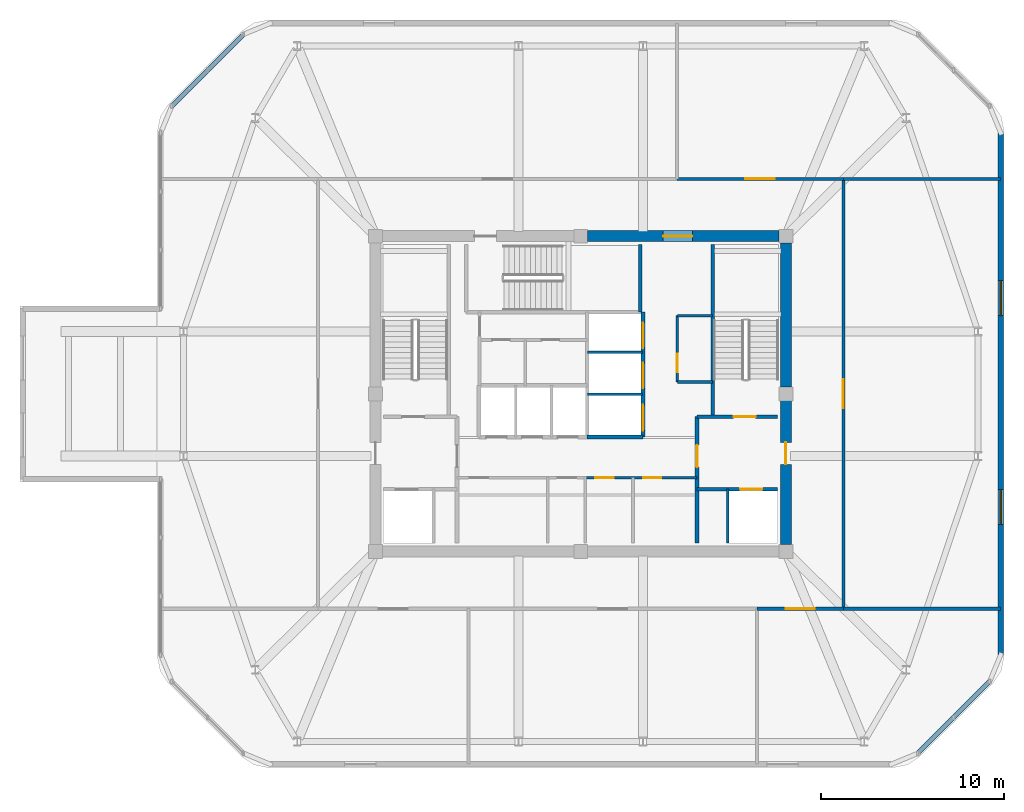
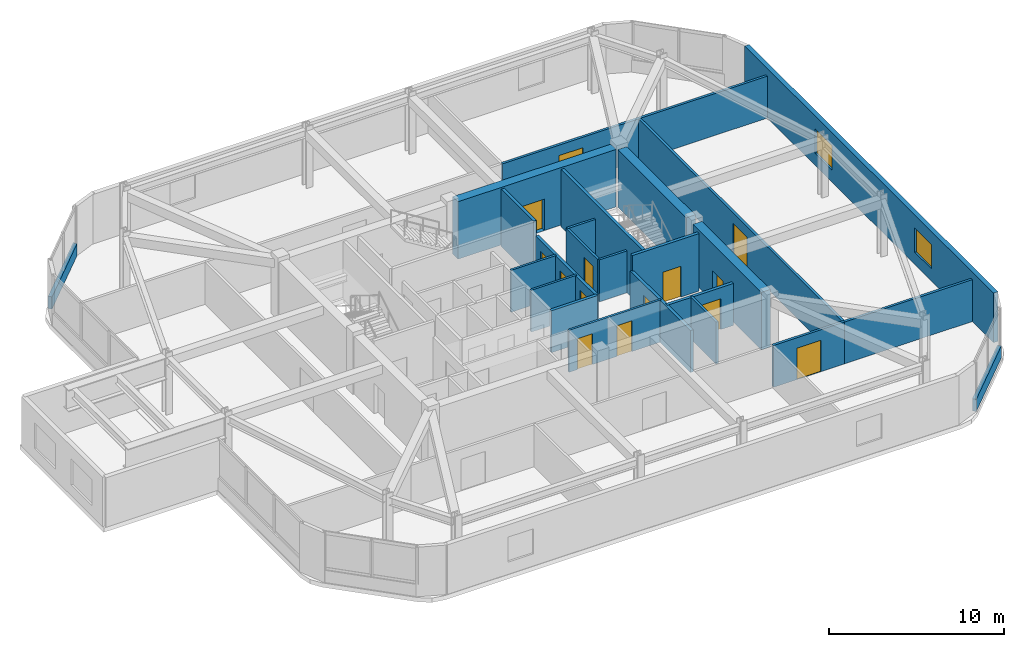
# One storey, part 7 of 9: 25 walls, 14 doors, 2 windows, 16 openings.
"""IFC4 building model written with IfcOpenShell, lengths in metres."""

from ifc_helpers import new_model, si_unit, derived_unit, direction, frame, frame_2d, origin, place, context, subcontext, project, spatial, rectangle, extrude, material, layer, layer_set, type_object, element, fill, save


model = new_model("IFC4")

# Units and contexts
model_context = context("Model", 3, precision=1e-05, world=origin(), true_north=direction((0.0, 1.0)))
body_context = subcontext(model_context, "Body", "Model", "MODEL_VIEW")
ifc_project = project(units=[si_unit("LENGTHUNIT", "METRE"), si_unit("AREAUNIT", "SQUARE_METRE"), si_unit("VOLUMEUNIT", "CUBIC_METRE"), si_unit("PLANEANGLEUNIT", "RADIAN"), si_unit("MASSUNIT", "GRAM", prefix="KILO"), derived_unit("THERMALTRANSMITTANCEUNIT", [(si_unit("POWERUNIT", "WATT"), 1), (si_unit("LENGTHUNIT", "METRE"), -2), (si_unit("THERMODYNAMICTEMPERATUREUNIT", "KELVIN"), -1)])], contexts=[model_context])

# Site, building, storey
site_placement = place(None, origin())
site = spatial("IfcSite", under=ifc_project, at=site_placement, CompositionType="ELEMENT")
building_placement = place(site_placement, origin())
building = spatial("IfcBuilding", under=site, at=building_placement, Name="Koralith Skygarden Medical Center", CompositionType="ELEMENT")
storey_placement = place(building_placement, frame((0.0, 0.0, 290.340087890625)))
storey = spatial("IfcBuildingStorey", under=building, at=storey_placement, Name="L75", CompositionType="ELEMENT", Elevation=290.340087890625)

# Wall, openings, doors
ifc_material_1 = material(Name="Gypsum Board Partition")
ifc_layer_1 = layer(ifc_material_1, 0.14990234375)
ifc_layer_set_1 = layer_set([ifc_layer_1], Name="Gypsum Board Partition")
wall_type_1 = type_object("IfcWallType", Name="Clinical Acoustic Partition 150", PredefinedType="PARTITIONING", material=ifc_layer_set_1)
wall_1_placement = place(storey_placement, frame((37.25, 21.320068359375, 0.0), z_axis=(0.0, 0.0, 1.0), x_axis=(1.0, 0.0, 0.0)))
wall_1 = element("IfcWall", 1, at=wall_1_placement, inside=storey, type_object=wall_type_1, Name="L75 Clinical Acoustic Partition 150 W-CORE-L75-FREED-MR-N", PredefinedType="PARTITIONING", context=body_context, shape_type="SweptSolid", body=[
    extrude(rectangle(XDim=6.10009765625, YDim=0.14990234375, at=frame_2d((3.050048828125, 0.0))), origin(), (0.0, 0.0, 1.0), 2.929931640625),
])
opening_1_placement = place(wall_1_placement, frame((0.550048828125, 0.0, 0.0)))
opening_1 = element("IfcOpeningElement", 2, at=opening_1_placement, cuts=wall_1, Name="Opening D-SUP", PredefinedType="OPENING", context=body_context, shape_type="SweptSolid", body=[
    extrude(rectangle(XDim=1.0, YDim=2.14990234375, at=frame_2d((0.5, 1.074951171875))), frame((0.0, 0.0849609375, 0.0), z_axis=(0.0, -1.0, 0.0), x_axis=(1.0, 0.0, 0.0)), (0.0, 0.0, 1.0), 0.169921875),
])
opening_2_placement = place(wall_1_placement, frame((3.14990234375, 0.0, 0.0)))
opening_2 = element("IfcOpeningElement", 3, at=opening_2_placement, cuts=wall_1, Name="Opening D-SUP", PredefinedType="OPENING", context=body_context, shape_type="SweptSolid", body=[
    extrude(rectangle(XDim=1.0, YDim=2.14990234375, at=frame_2d((0.5, 1.074951171875))), frame((0.0, 0.0849609375, 0.0), z_axis=(0.0, -1.0, 0.0), x_axis=(1.0, 0.0, 0.0)), (0.0, 0.0, 1.0), 0.169921875),
])
ifc_material_2 = material(Name="Aluminium 6063-T6", Category="aluminium")
door_type_1 = type_object("IfcDoorType", Name="Clinical Support Door D-SUP 1000", OperationType="NOTDEFINED", PredefinedType="DOOR", material=ifc_material_2)
door_1_placement = place(opening_1_placement, frame((1.0, 0.0, 0.0), z_axis=(0.0, 0.0, 1.0), x_axis=(-1.0, 0.0, 0.0)))
door_1 = element("IfcDoor", 4, at=door_1_placement, inside=storey, type_object=door_type_1, Name="L75 Satellite Pharmacy Door", OperationType="SINGLE_SWING_LEFT", OverallHeight=2.14990234375, OverallWidth=1.0, PredefinedType="DOOR", context=body_context, shape_type="SweptSolid", body=[
    extrude(rectangle(XDim=1.0, YDim=2.14990234375, at=frame_2d((0.5, 1.074951171875))), frame((0.0, 0.02490234375, 0.0), z_axis=(0.0, -1.0, 0.0), x_axis=(1.0, 0.0, 0.0)), (0.0, 0.0, 1.0), 0.050048828125),
])
fill(opening_1, door_1)
door_2_placement = place(opening_2_placement, frame((1.0, 0.0, 0.0), z_axis=(0.0, 0.0, 1.0), x_axis=(-1.0, 0.0, 0.0)))
door_2 = element("IfcDoor", 5, at=door_2_placement, inside=storey, type_object=door_type_1, Name="L75 Biomedical Equipment Door", OperationType="SINGLE_SWING_RIGHT", OverallHeight=2.14990234375, OverallWidth=1.0, PredefinedType="DOOR", context=body_context, shape_type="SweptSolid", body=[
    extrude(rectangle(XDim=1.0, YDim=2.14990234375, at=frame_2d((0.5, 1.074951171875))), frame((0.0, 0.02490234375, 0.0), z_axis=(0.0, -1.0, 0.0), x_axis=(1.0, 0.0, 0.0)), (0.0, 0.0, 1.0), 0.050048828125),
])
fill(opening_2, door_2)

# Wall, opening, door
wall_2_placement = place(storey_placement, frame((42.27001953125, 26.5400390625, 0.0), z_axis=(0.0, 0.0, 1.0), x_axis=(0.0, 1.0, 0.0)))
wall_2 = element("IfcWall", 6, at=wall_2_placement, inside=storey, type_object=wall_type_1, Name="L75 Clinical Acoustic Partition 150 W-CORE-L75-ESUB-W", PredefinedType="PARTITIONING", context=body_context, shape_type="SweptSolid", body=[
    extrude(rectangle(XDim=3.619873046875, YDim=0.14990234375, at=frame_2d((1.81005859375, 0.0))), origin(), (0.0, 0.0, 1.0), 2.929931640625),
])
opening_3_placement = place(wall_2_placement, frame((0.550048828125, 0.0, 0.0)))
opening_3 = element("IfcOpeningElement", 7, at=opening_3_placement, cuts=wall_2, Name="Opening D-SUP", PredefinedType="OPENING", context=body_context, shape_type="SweptSolid", body=[
    extrude(rectangle(XDim=1.0, YDim=2.14990234375, at=frame_2d((0.5, 1.074951171875))), frame((0.0, 0.0849609375, 0.0), z_axis=(0.0, -1.0, 0.0), x_axis=(1.0, 0.0, 0.0)), (0.0, 0.0, 1.0), 0.169921875),
])
door_3_placement = place(opening_3_placement, origin())
door_3 = element("IfcDoor", 8, at=door_3_placement, inside=storey, type_object=door_type_1, Name="L75 Core Equipment Store Door", OperationType="SINGLE_SWING_LEFT", OverallHeight=2.14990234375, OverallWidth=1.0, PredefinedType="DOOR", context=body_context, shape_type="SweptSolid", body=[
    extrude(rectangle(XDim=1.0, YDim=2.14990234375, at=frame_2d((0.5, 1.074951171875))), frame((0.0, 0.02490234375, 0.0), z_axis=(0.0, -1.0, 0.0), x_axis=(1.0, 0.0, 0.0)), (0.0, 0.0, 1.0), 0.050048828125),
])
fill(opening_3, door_3)

# Walls
for number, where, z_axis, x_axis, name in (
    (9, (42.27001953125, 26.5400390625, 0.0), (0.0, 0.0, 1.0), (1.0, 0.0, 0.0), "L75 Clinical Acoustic Partition 150 W-CORE-L75-ESUB-S"),
    (10, (42.27001953125, 30.159912109375, 0.0), (0.0, 0.0, 1.0), (1.0, 0.0, 0.0), "L75 Clinical Acoustic Partition 150 W-CORE-L75-ESUB-N"),
):
    element("IfcWall", number, at=place(storey_placement, frame(where, z_axis=z_axis, x_axis=x_axis)), inside=storey, type_object=wall_type_1, Name=name, PredefinedType="PARTITIONING", context=body_context, shape_type="SweptSolid", body=[
        extrude(rectangle(XDim=1.929931640625, YDim=0.14990234375, at=frame_2d((0.96484375, 0.0))), origin(), (0.0, 0.0, 1.0), 2.929931640625),
    ])
ifc_layer_2 = layer(ifc_material_1, 0.1650390625)
ifc_layer_set_2 = layer_set([ifc_layer_2], Name="Gypsum Board Partition")
wall_type_2 = type_object("IfcWallType", Name="Clinical Corridor Partition 165", PredefinedType="PARTITIONING", material=ifc_layer_set_2)
for number, where, z_axis, x_axis, name in (
    (11, (51.330078125, 37.6298828125, 0.0), (0.0, 0.0, 1.0), (1.0, 0.0, 0.0), "L75 Clinical Corridor Partition 165 W-WB-L75-NE"),
    (12, (51.330078125, 14.169921875, 0.0), (0.0, 0.0, 1.0), (1.0, 0.0, 0.0), "L75 Clinical Corridor Partition 165 W-WB-L75-SE"),
):
    element("IfcWall", number, at=place(storey_placement, frame(where, z_axis=z_axis, x_axis=x_axis)), inside=storey, type_object=wall_type_2, Name=name, PredefinedType="PARTITIONING", context=body_context, shape_type="SweptSolid", body=[
        extrude(rectangle(XDim=8.56982421875, YDim=0.1650390625, at=frame_2d((4.284912109375, 0.0))), origin(), (0.0, 0.0, 1.0), 2.929931640625),
    ])

# Wall, opening, door
wall_3_placement = place(storey_placement, frame((42.2509765625, 37.6298828125, 0.0), z_axis=(0.0, 0.0, 1.0), x_axis=(1.0, 0.0, 0.0)))
wall_3 = element("IfcWall", 13, at=wall_3_placement, inside=storey, type_object=wall_type_2, Name="L75 Clinical Corridor Partition 165 W-CRCOR-L75-N-2", PredefinedType="PARTITIONING", context=body_context, shape_type="SweptSolid", body=[
    extrude(rectangle(XDim=9.0791015625, YDim=0.1650390625, at=frame_2d((4.53955078125, 0.0))), origin(), (0.0, 0.0, 1.0), 2.929931640625),
])
opening_4_placement = place(wall_3_placement, frame((3.739990234375, 0.0, 0.0)))
opening_4 = element("IfcOpeningElement", 14, at=opening_4_placement, cuts=wall_3, Name="Opening D-DBL", PredefinedType="OPENING", context=body_context, shape_type="SweptSolid", body=[
    extrude(rectangle(XDim=1.60009765625, YDim=2.199951171875, at=frame_2d((0.800048828125, 1.10009765625))), frame((0.0, 0.092529296875, 0.0), z_axis=(0.0, -1.0, 0.0), x_axis=(1.0, 0.0, 0.0)), (0.0, 0.0, 1.0), 0.18505859375),
])
door_type_2 = type_object("IfcDoorType", Name="Double Clinical Suite Door D-DBL 1600", OperationType="NOTDEFINED", PredefinedType="DOOR", material=ifc_material_2)
door_4_placement = place(opening_4_placement, origin())
door_4 = element("IfcDoor", 15, at=door_4_placement, inside=storey, type_object=door_type_2, Name="L75 Catering Production Kitchen and Servery Door", OperationType="DOUBLE_DOOR_SINGLE_SWING", OverallHeight=2.199951171875, OverallWidth=1.60009765625, PredefinedType="DOOR", context=body_context, shape_type="SweptSolid", body=[
    extrude(rectangle(XDim=1.60009765625, YDim=2.199951171875, at=frame_2d((0.800048828125, 1.10009765625))), frame((0.0, 0.02490234375, 0.0), z_axis=(0.0, -1.0, 0.0), x_axis=(1.0, 0.0, 0.0)), (0.0, 0.0, 1.0), 0.050048828125),
])
fill(opening_4, door_4)

wall_4_placement = place(storey_placement, frame((46.626953125, 14.169921875, 0.0), z_axis=(0.0, 0.0, 1.0), x_axis=(1.0, 0.0, 0.0)))
wall_4 = element("IfcWall", 16, at=wall_4_placement, inside=storey, type_object=wall_type_2, Name="L75 Clinical Corridor Partition 165 W-CRCOR-L75-S-3", PredefinedType="PARTITIONING", context=body_context, shape_type="SweptSolid", body=[
    extrude(rectangle(XDim=4.703125, YDim=0.1650390625, at=frame_2d((2.3515625, 0.0))), origin(), (0.0, 0.0, 1.0), 2.929931640625),
])
opening_5_placement = place(wall_4_placement, frame((1.551025390625, 0.0, 0.0)))
opening_5 = element("IfcOpeningElement", 17, at=opening_5_placement, cuts=wall_4, Name="Opening D-DBL", PredefinedType="OPENING", context=body_context, shape_type="SweptSolid", body=[
    extrude(rectangle(XDim=1.60009765625, YDim=2.199951171875, at=frame_2d((0.800048828125, 1.10009765625))), frame((0.0, 0.092529296875, 0.0), z_axis=(0.0, -1.0, 0.0), x_axis=(1.0, 0.0, 0.0)), (0.0, 0.0, 1.0), 0.18505859375),
])
door_5_placement = place(opening_5_placement, frame((1.60009765625, 0.0, 0.0), z_axis=(0.0, 0.0, 1.0), x_axis=(-1.0, 0.0, 0.0)))
door_5 = element("IfcDoor", 18, at=door_5_placement, inside=storey, type_object=door_type_2, Name="L75 Public Accessible Restroom WC Door", OperationType="DOUBLE_DOOR_SINGLE_SWING", OverallHeight=2.199951171875, OverallWidth=1.60009765625, PredefinedType="DOOR", context=body_context, shape_type="SweptSolid", body=[
    extrude(rectangle(XDim=1.60009765625, YDim=2.199951171875, at=frame_2d((0.800048828125, 1.10009765625))), frame((0.0, 0.02490234375, 0.0), z_axis=(0.0, -1.0, 0.0), x_axis=(1.0, 0.0, 0.0)), (0.0, 0.0, 1.0), 0.050048828125),
])
fill(opening_5, door_5)

wall_5_placement = place(storey_placement, frame((51.330078125, 14.169921875, 0.0), z_axis=(0.0, 0.0, 1.0), x_axis=(0.0, 1.0, 0.0)))
wall_5 = element("IfcWall", 19, at=wall_5_placement, inside=storey, type_object=wall_type_2, Name="L75 Clinical Corridor Partition 165 W-CRCOR-L75-E-1", PredefinedType="PARTITIONING", context=body_context, shape_type="SweptSolid", body=[
    extrude(rectangle(XDim=23.4599609375, YDim=0.1650390625, at=frame_2d((11.72998046875, 0.0))), origin(), (0.0, 0.0, 1.0), 2.929931640625),
])
opening_6_placement = place(wall_5_placement, frame((10.929931640625, 0.0, 0.0)))
opening_6 = element("IfcOpeningElement", 20, at=opening_6_placement, cuts=wall_5, Name="Opening D-DBL", PredefinedType="OPENING", context=body_context, shape_type="SweptSolid", body=[
    extrude(rectangle(XDim=1.60009765625, YDim=2.199951171875, at=frame_2d((0.800048828125, 1.10009765625))), frame((0.0, 0.092529296875, 0.0), z_axis=(0.0, -1.0, 0.0), x_axis=(1.0, 0.0, 0.0)), (0.0, 0.0, 1.0), 0.18505859375),
])
door_6_placement = place(opening_6_placement, origin())
door_6 = element("IfcDoor", 21, at=door_6_placement, inside=storey, type_object=door_type_2, Name="L75 Bereavement and Quiet Family Sitting Room Door", OperationType="DOUBLE_DOOR_SINGLE_SWING", OverallHeight=2.199951171875, OverallWidth=1.60009765625, PredefinedType="DOOR", context=body_context, shape_type="SweptSolid", body=[
    extrude(rectangle(XDim=1.60009765625, YDim=2.199951171875, at=frame_2d((0.800048828125, 1.10009765625))), frame((0.0, 0.02490234375, 0.0), z_axis=(0.0, -1.0, 0.0), x_axis=(1.0, 0.0, 0.0)), (0.0, 0.0, 1.0), 0.050048828125),
])
fill(opening_6, door_6)

ifc_layer_3 = layer(ifc_material_1, 0.199951171875)
ifc_layer_set_3 = layer_set([ifc_layer_3], Name="Gypsum Board Partition")
wall_type_3 = type_object("IfcWallType", Name="Fire Shaft Wall 200", PredefinedType="SOLIDWALL", material=ifc_layer_set_3)
wall_6_placement = place(storey_placement, frame((43.35009765625, 20.699951171875, 0.0), z_axis=(0.0, 0.0, 1.0), x_axis=(1.0, 0.0, 0.0)))
wall_6 = element("IfcWall", 22, at=wall_6_placement, inside=storey, type_object=wall_type_3, Name="L75 Fire Shaft Wall 200 W-CORE-L75-FF2-N", PredefinedType="SOLIDWALL", context=body_context, shape_type="SweptSolid", body=[
    extrude(rectangle(XDim=4.39990234375, YDim=0.199951171875, at=frame_2d((2.199951171875, 0.0))), origin(), (0.0, 0.0, 1.0), 2.929931640625),
])
opening_7_placement = place(wall_6_placement, frame((2.35009765625, 0.0, 0.0)))
opening_7 = element("IfcOpeningElement", 23, at=opening_7_placement, cuts=wall_6, Name="Opening LD-FF", PredefinedType="OPENING", context=body_context, shape_type="SweptSolid", body=[
    extrude(rectangle(XDim=1.199951171875, YDim=2.14990234375, at=frame_2d((0.60009765625, 1.074951171875))), frame((0.0, 0.10986328125, 0.0), z_axis=(0.0, -1.0, 0.0), x_axis=(1.0, 0.0, 0.0)), (0.0, 0.0, 1.0), 0.219970703125),
])
ifc_material_3 = material(Name="Steel ASTM A500 Grade C", Category="steel")
door_type_3 = type_object("IfcDoorType", Name="Fire Lift Sliding Landing Door LD-FF 1200", OperationType="NOTDEFINED", PredefinedType="DOOR", material=ifc_material_3)
door_7_placement = place(opening_7_placement, origin())
door_7 = element("IfcDoor", 24, at=door_7_placement, inside=storey, type_object=door_type_3, Name="L75 Fire Service Elevator FF2 Landing Door", OperationType="SLIDING_TO_RIGHT", OverallHeight=2.14990234375, OverallWidth=1.199951171875, PredefinedType="DOOR", context=body_context, shape_type="SweptSolid", body=[
    extrude(rectangle(XDim=1.199951171875, YDim=2.14990234375, at=frame_2d((0.60009765625, 1.074951171875))), frame((0.0, 0.02490234375, 0.0), z_axis=(0.0, -1.0, 0.0), x_axis=(1.0, 0.0, 0.0)), (0.0, 0.0, 1.0), 0.050048828125),
])
fill(opening_7, door_7)

wall_7_placement = place(storey_placement, frame((43.35009765625, 17.75, 0.0), z_axis=(0.0, 0.0, 1.0), x_axis=(0.0, 1.0, 0.0)))
wall_7 = element("IfcWall", 25, at=wall_7_placement, inside=storey, type_object=wall_type_3, Name="L75 Fire Shaft Wall 200 W-CORE-L75-FSAEE-W", PredefinedType="SOLIDWALL", context=body_context, shape_type="SweptSolid", body=[
    extrude(rectangle(XDim=6.89990234375, YDim=0.199951171875, at=frame_2d((3.449951171875, 0.0))), origin(), (0.0, 0.0, 1.0), 2.929931640625),
])
opening_8_placement = place(wall_7_placement, frame((4.14990234375, 0.0, 0.0)))
opening_8 = element("IfcOpeningElement", 26, at=opening_8_placement, cuts=wall_7, Name="Opening D-ST60", PredefinedType="OPENING", context=body_context, shape_type="SweptSolid", body=[
    extrude(rectangle(XDim=1.199951171875, YDim=2.14990234375, at=frame_2d((0.60009765625, 1.074951171875))), frame((0.0, 0.10986328125, 0.0), z_axis=(0.0, -1.0, 0.0), x_axis=(1.0, 0.0, 0.0)), (0.0, 0.0, 1.0), 0.219970703125),
])
door_type_4 = type_object("IfcDoorType", Name="Smokeproof Stair Fire Door FD60S 1200", OperationType="NOTDEFINED", PredefinedType="DOOR", material=ifc_material_3)
door_8_placement = place(opening_8_placement, frame((1.199951171875, 0.0, 0.0), z_axis=(0.0, 0.0, 1.0), x_axis=(-1.0, 0.0, 0.0)))
door_8 = element("IfcDoor", 27, at=door_8_placement, inside=storey, type_object=door_type_4, Name="L75 East Firefighting Lobby Inner Fire Door", OperationType="SINGLE_SWING_RIGHT", OverallHeight=2.14990234375, OverallWidth=1.199951171875, PredefinedType="DOOR", context=body_context, shape_type="SweptSolid", body=[
    extrude(rectangle(XDim=1.199951171875, YDim=2.14990234375, at=frame_2d((0.60009765625, 1.074951171875))), frame((0.0, 0.02490234375, 0.0), z_axis=(0.0, -1.0, 0.0), x_axis=(1.0, 0.0, 0.0)), (0.0, 0.0, 1.0), 0.050048828125),
])
fill(opening_8, door_8)

# Wall
wall_8_placement = place(storey_placement, frame((37.35009765625, 23.5400390625, 0.0), z_axis=(0.0, 0.0, 1.0), x_axis=(1.0, 0.0, 0.0)))
element("IfcWall", 28, at=wall_8_placement, inside=storey, type_object=wall_type_3, Name="L75 Fire Shaft Wall 200 W-CORE-L75-SV-S", PredefinedType="SOLIDWALL", context=body_context, shape_type="SweptSolid", body=[
    extrude(rectangle(XDim=3.0498046875, YDim=0.199951171875, at=frame_2d((1.52490234375, 0.0))), origin(), (0.0, 0.0, 1.0), 2.929931640625),
])

# Wall, openings, doors
wall_9_placement = place(storey_placement, frame((40.39990234375, 23.5400390625, 0.0), z_axis=(0.0, 0.0, 1.0), x_axis=(0.0, 1.0, 0.0)))
wall_9 = element("IfcWall", 29, at=wall_9_placement, inside=storey, type_object=wall_type_3, Name="L75 Fire Shaft Wall 200 W-CORE-L75-SV-E", PredefinedType="SOLIDWALL", context=body_context, shape_type="SweptSolid", body=[
    extrude(rectangle(XDim=6.820068359375, YDim=0.199951171875, at=frame_2d((3.41015625, 0.0))), origin(), (0.0, 0.0, 1.0), 2.929931640625),
])
opening_9_placement = place(wall_9_placement, frame((0.35009765625, 0.0, 0.0)))
opening_9 = element("IfcOpeningElement", 30, at=opening_9_placement, cuts=wall_9, Name="Opening LD-SV", PredefinedType="OPENING", context=body_context, shape_type="SweptSolid", body=[
    extrude(rectangle(XDim=1.39990234375, YDim=2.199951171875, at=frame_2d((0.699951171875, 1.10009765625))), frame((0.0, 0.10986328125, 0.0), z_axis=(0.0, -1.0, 0.0), x_axis=(1.0, 0.0, 0.0)), (0.0, 0.0, 1.0), 0.219970703125),
])
opening_10_placement = place(wall_9_placement, frame((2.64990234375, 0.0, 0.0)))
opening_10 = element("IfcOpeningElement", 31, at=opening_10_placement, cuts=wall_9, Name="Opening LD-SV", PredefinedType="OPENING", context=body_context, shape_type="SweptSolid", body=[
    extrude(rectangle(XDim=1.39990234375, YDim=2.199951171875, at=frame_2d((0.699951171875, 1.10009765625))), frame((0.0, 0.10986328125, 0.0), z_axis=(0.0, -1.0, 0.0), x_axis=(1.0, 0.0, 0.0)), (0.0, 0.0, 1.0), 0.219970703125),
])
opening_11_placement = place(wall_9_placement, frame((4.85009765625, 0.0, 0.0)))
opening_11 = element("IfcOpeningElement", 32, at=opening_11_placement, cuts=wall_9, Name="Opening LD-SV", PredefinedType="OPENING", context=body_context, shape_type="SweptSolid", body=[
    extrude(rectangle(XDim=1.39990234375, YDim=2.199951171875, at=frame_2d((0.699951171875, 1.10009765625))), frame((0.0, 0.10986328125, 0.0), z_axis=(0.0, -1.0, 0.0), x_axis=(1.0, 0.0, 0.0)), (0.0, 0.0, 1.0), 0.219970703125),
])
door_type_5 = type_object("IfcDoorType", Name="Bed Lift Sliding Landing Door LD-SV 1400", OperationType="NOTDEFINED", PredefinedType="DOOR", material=ifc_material_3)
door_9_placement = place(opening_9_placement, origin())
door_9 = element("IfcDoor", 33, at=door_9_placement, inside=storey, type_object=door_type_5, Name="L75 Bed Elevator BD1 Landing Door", OperationType="SLIDING_TO_LEFT", OverallHeight=2.199951171875, OverallWidth=1.39990234375, PredefinedType="DOOR", context=body_context, shape_type="SweptSolid", body=[
    extrude(rectangle(XDim=1.39990234375, YDim=2.199951171875, at=frame_2d((0.699951171875, 1.10009765625))), frame((0.0, 0.02490234375, 0.0), z_axis=(0.0, -1.0, 0.0), x_axis=(1.0, 0.0, 0.0)), (0.0, 0.0, 1.0), 0.050048828125),
])
fill(opening_9, door_9)
door_10_placement = place(opening_10_placement, origin())
door_10 = element("IfcDoor", 34, at=door_10_placement, inside=storey, type_object=door_type_5, Name="L75 Service Elevator BD2 Landing Door", OperationType="SLIDING_TO_LEFT", OverallHeight=2.199951171875, OverallWidth=1.39990234375, PredefinedType="DOOR", context=body_context, shape_type="SweptSolid", body=[
    extrude(rectangle(XDim=1.39990234375, YDim=2.199951171875, at=frame_2d((0.699951171875, 1.10009765625))), frame((0.0, 0.02490234375, 0.0), z_axis=(0.0, -1.0, 0.0), x_axis=(1.0, 0.0, 0.0)), (0.0, 0.0, 1.0), 0.050048828125),
])
fill(opening_10, door_10)
door_11_placement = place(opening_11_placement, origin())
door_11 = element("IfcDoor", 35, at=door_11_placement, inside=storey, type_object=door_type_5, Name="L75 Trauma Elevator TR1 Landing Door", OperationType="SLIDING_TO_RIGHT", OverallHeight=2.199951171875, OverallWidth=1.39990234375, PredefinedType="DOOR", context=body_context, shape_type="SweptSolid", body=[
    extrude(rectangle(XDim=1.39990234375, YDim=2.199951171875, at=frame_2d((0.699951171875, 1.10009765625))), frame((0.0, 0.02490234375, 0.0), z_axis=(0.0, -1.0, 0.0), x_axis=(1.0, 0.0, 0.0)), (0.0, 0.0, 1.0), 0.050048828125),
])
fill(opening_11, door_11)

# Walls
ifc_material_4 = material(Name="Warm Oolitic Limestone Cladding", Category="masonry")
ifc_layer_4 = layer(ifc_material_4, 0.239990234375)
ifc_layer_set_4 = layer_set([ifc_layer_4], Name="Warm Oolitic Limestone Cladding")
wall_type_4 = type_object("IfcWallType", Name="Limestone Spandrel Sill Backup Wall 240", PredefinedType="SOLIDWALL", material=ifc_layer_set_4)
for number, where, z_axis, x_axis, name in (
    (36, (55.39599609375, 6.281005859375, 0.0), (0.0, 0.0, 1.0), (0.707106781187, 0.707106781187, 0.0), "L75 Sill Spandrel SE"),
    (37, (18.60400390625, 45.51904296875, 0.0), (0.0, 0.0, 1.0), (-0.707106781187, -0.707106781187, 0.0), "L75 Sill Spandrel NW"),
):
    element("IfcWall", number, at=place(storey_placement, frame(where, z_axis=z_axis, x_axis=x_axis)), inside=storey, type_object=wall_type_4, Name=name, PredefinedType="SOLIDWALL", context=body_context, shape_type="SweptSolid", body=[
        extrude(rectangle(XDim=5.548095703125, YDim=0.239990234375, at=frame_2d((2.77392578125, 0.0))), origin(), (0.0, 0.0, 1.0), 0.849853515625),
    ])

# Wall, openings, windows
ifc_layer_5 = layer(ifc_material_4, 0.300048828125)
ifc_layer_set_5 = layer_set([ifc_layer_5], Name="Warm Oolitic Limestone Cladding")
wall_type_5 = type_object("IfcWallType", Name="Oolitic Limestone Insulated Facade Wall 300", PredefinedType="SOLIDWALL", material=ifc_layer_set_5)
wall_10_placement = place(storey_placement, frame((59.919921875, 11.655029296875, 0.0), z_axis=(0.0, 0.0, 1.0), x_axis=(0.0, 1.0, 0.0)))
wall_10 = element("IfcWall", 38, at=wall_10_placement, inside=storey, type_object=wall_type_5, Name="L75 Crown Limestone Wall E", PredefinedType="SOLIDWALL", context=body_context, shape_type="SweptSolid", body=[
    extrude(rectangle(XDim=28.489990234375, YDim=0.300048828125, at=frame_2d((14.2451171875, 0.0))), origin(), (0.0, 0.0, 1.0), 3.4599609375),
])
opening_12_placement = place(wall_10_placement, frame((7.1220703125, 0.0, 0.85009765625)))
opening_12 = element("IfcOpeningElement", 39, at=opening_12_placement, cuts=wall_10, Name="Opening W-07", PredefinedType="OPENING", context=body_context, shape_type="SweptSolid", body=[
    extrude(rectangle(XDim=1.89990234375, YDim=1.699951171875, at=frame_2d((0.949951171875, 0.85009765625))), frame((0.0, 0.159912109375, 0.0), z_axis=(0.0, -1.0, 0.0), x_axis=(1.0, 0.0, 0.0)), (0.0, 0.0, 1.0), 0.320068359375),
])
opening_13_placement = place(wall_10_placement, frame((18.51806640625, 0.0, 0.85009765625)))
opening_13 = element("IfcOpeningElement", 40, at=opening_13_placement, cuts=wall_10, Name="Opening W-07", PredefinedType="OPENING", context=body_context, shape_type="SweptSolid", body=[
    extrude(rectangle(XDim=1.89990234375, YDim=1.699951171875, at=frame_2d((0.949951171875, 0.85009765625))), frame((0.0, 0.159912109375, 0.0), z_axis=(0.0, -1.0, 0.0), x_axis=(1.0, 0.0, 0.0)), (0.0, 0.0, 1.0), 0.320068359375),
])
ifc_material_5 = material(Name="Clear Laminated Glass", Category="glass")
window_type = type_object("IfcWindowType", Name="Crown Restaurant Punched Window W-07 1900x1700", PartitioningType="SINGLE_PANEL", PredefinedType="WINDOW", material=ifc_material_5)
window_1_placement = place(opening_12_placement, origin())
window_1 = element("IfcWindow", 41, at=window_1_placement, inside=storey, type_object=window_type, Name="L75 E Crown Window 1", OverallHeight=1.699951171875, OverallWidth=1.89990234375, PartitioningType="SINGLE_PANEL", PredefinedType="WINDOW", context=body_context, shape_type="SweptSolid", body=[
    extrude(rectangle(XDim=1.89990234375, YDim=1.699951171875, at=frame_2d((0.949951171875, 0.85009765625))), frame((0.0, 0.030029296875, 0.0), z_axis=(0.0, -1.0, 0.0), x_axis=(1.0, 0.0, 0.0)), (0.0, 0.0, 1.0), 0.06005859375),
])
fill(opening_12, window_1)
window_2_placement = place(opening_13_placement, origin())
window_2 = element("IfcWindow", 42, at=window_2_placement, inside=storey, type_object=window_type, Name="L75 E Crown Window 2", OverallHeight=1.699951171875, OverallWidth=1.89990234375, PartitioningType="SINGLE_PANEL", PredefinedType="WINDOW", context=body_context, shape_type="SweptSolid", body=[
    extrude(rectangle(XDim=1.89990234375, YDim=1.699951171875, at=frame_2d((0.949951171875, 0.85009765625))), frame((0.0, 0.030029296875, 0.0), z_axis=(0.0, -1.0, 0.0), x_axis=(1.0, 0.0, 0.0)), (0.0, 0.0, 1.0), 0.06005859375),
])
fill(opening_13, window_2)

# Walls
ifc_layer_6 = layer(ifc_material_1, 0.14990234375)
ifc_layer_set_6 = layer_set([ifc_layer_6], Name="Gypsum Board Partition")
wall_type_6 = type_object("IfcWallType", Name="Shaft Partition Wall 150", PredefinedType="PARTITIONING", material=ifc_layer_set_6)
wall_11_placement = place(storey_placement, frame((45.02001953125, 17.75, 0.0), z_axis=(0.0, 0.0, 1.0), x_axis=(0.0, 1.0, 0.0)))
element("IfcWall", 43, at=wall_11_placement, inside=storey, type_object=wall_type_6, Name="L75 Shaft Partition Wall 150 W-CORE-L75-RSRE-DIV", PredefinedType="PARTITIONING", context=body_context, shape_type="SweptSolid", body=[
    extrude(rectangle(XDim=2.949951171875, YDim=0.14990234375, at=frame_2d((1.47509765625, 0.0))), origin(), (0.0, 0.0, 1.0), 2.929931640625),
])
for number, where, z_axis, x_axis, name in (
    (44, (37.3701171875, 25.8701171875, 0.0), (0.0, 0.0, 1.0), (1.0, 0.0, 0.0), "L75 Shaft Partition Wall 150 W-CORE-L75-SV-D1"),
    (45, (37.3701171875, 28.169921875, 0.0), (0.0, 0.0, 1.0), (1.0, 0.0, 0.0), "L75 Shaft Partition Wall 150 W-CORE-L75-SV-D2"),
):
    element("IfcWall", number, at=place(storey_placement, frame(where, z_axis=z_axis, x_axis=x_axis)), inside=storey, type_object=wall_type_6, Name=name, PredefinedType="PARTITIONING", context=body_context, shape_type="SweptSolid", body=[
        extrude(rectangle(XDim=3.009765625, YDim=0.14990234375, at=frame_2d((1.5048828125, 0.0))), origin(), (0.0, 0.0, 1.0), 2.929931640625),
    ])
ifc_material_6 = material(Name="Concrete C45/55", Category="concrete")
ifc_layer_7 = layer(ifc_material_6, 0.199951171875)
ifc_layer_set_7 = layer_set([ifc_layer_7], Name="Concrete C45/55")
wall_type_7 = type_object("IfcWallType", Name="Structural Stair Shaft Wall 200", PredefinedType="SHEAR", material=ifc_layer_set_7)
wall_12_placement = place(storey_placement, frame((44.199951171875, 24.64990234375, 0.0), z_axis=(0.0, 0.0, 1.0), x_axis=(0.0, 1.0, 0.0)))
element("IfcWall", 46, at=wall_12_placement, inside=storey, type_object=wall_type_7, Name="L75 Structural Stair Shaft Wall 200 W-CORE-L75-ST2-W", PredefinedType="SHEAR", context=body_context, shape_type="SweptSolid", body=[
    extrude(rectangle(XDim=9.400146484375, YDim=0.199951171875, at=frame_2d((4.7001953125, 0.0))), origin(), (0.0, 0.0, 1.0), 4.02001953125),
])

# Wall, opening, door
wall_13_placement = place(storey_placement, frame((43.35009765625, 24.64990234375, 0.0), z_axis=(0.0, 0.0, 1.0), x_axis=(1.0, 0.0, 0.0)))
wall_13 = element("IfcWall", 47, at=wall_13_placement, inside=storey, type_object=wall_type_7, Name="L75 Structural Stair Shaft Wall 200 W-CORE-L75-ST2-S", PredefinedType="SHEAR", context=body_context, shape_type="SweptSolid", body=[
    extrude(rectangle(XDim=4.39990234375, YDim=0.199951171875, at=frame_2d((2.199951171875, 0.0))), origin(), (0.0, 0.0, 1.0), 4.02001953125),
])
opening_14_placement = place(wall_13_placement, frame((2.0, 0.0, 0.0)))
opening_14 = element("IfcOpeningElement", 48, at=opening_14_placement, cuts=wall_13, Name="Opening D-ST60", PredefinedType="OPENING", context=body_context, shape_type="SweptSolid", body=[
    extrude(rectangle(XDim=1.199951171875, YDim=2.14990234375, at=frame_2d((0.60009765625, 1.074951171875))), frame((0.0, 0.10986328125, 0.0), z_axis=(0.0, -1.0, 0.0), x_axis=(1.0, 0.0, 0.0)), (0.0, 0.0, 1.0), 0.219970703125),
])
door_12_placement = place(opening_14_placement, origin())
door_12 = element("IfcDoor", 49, at=door_12_placement, inside=storey, type_object=door_type_4, Name="L75 Exit Stair ST2 Fire Door", OperationType="SINGLE_SWING_RIGHT", OverallHeight=2.14990234375, OverallWidth=1.199951171875, PredefinedType="DOOR", context=body_context, shape_type="SweptSolid", body=[
    extrude(rectangle(XDim=1.199951171875, YDim=2.14990234375, at=frame_2d((0.60009765625, 1.074951171875))), frame((0.0, 0.02490234375, 0.0), z_axis=(0.0, -1.0, 0.0), x_axis=(1.0, 0.0, 0.0)), (0.0, 0.0, 1.0), 0.050048828125),
])
fill(opening_14, door_12)

# Wall
wall_14_placement = place(storey_placement, frame((40.25, 30.360107421875, 0.0), z_axis=(0.0, 0.0, 1.0), x_axis=(0.0, 1.0, 0.0)))
element("IfcWall", 50, at=wall_14_placement, inside=storey, type_object=wall_type_7, Name="L75 Structural Stair Shaft Wall 200 W-CORE-L75-ST3-E", PredefinedType="SHEAR", context=body_context, shape_type="SweptSolid", body=[
    extrude(rectangle(XDim=3.68994140625, YDim=0.199951171875, at=frame_2d((1.844970703125, 0.0))), origin(), (0.0, 0.0, 1.0), 4.02001953125),
])

# Wall, opening, door
ifc_material_7 = material(Name="Concrete C55/67", Category="concrete")
ifc_layer_8 = layer(ifc_material_7, 0.60009765625)
ifc_layer_set_8 = layer_set([ifc_layer_8], Name="Concrete C55/67")
wall_type_8 = type_object("IfcWallType", Name="Upper Core Shear Wall 600", PredefinedType="SHEAR", material=ifc_layer_set_8)
wall_15_placement = place(storey_placement, frame((48.199951171875, 17.675048828125, 0.0), z_axis=(0.0, 0.0, 1.0), x_axis=(0.0, 1.0, 0.0)))
wall_15 = element("IfcWall", 51, at=wall_15_placement, inside=storey, type_object=wall_type_8, Name="L75 Core Shear Wall Segment 3", PredefinedType="SHEAR", context=body_context, shape_type="SweptSolid", body=[
    extrude(rectangle(XDim=7.849853515625, YDim=0.60009765625, at=frame_2d((3.9248046875, 0.0))), origin(), (0.0, 0.0, 1.0), 4.02001953125),
])
opening_15_placement = place(wall_15_placement, frame((4.375, 0.0, 0.0)))
opening_15 = element("IfcOpeningElement", 52, at=opening_15_placement, cuts=wall_15, Name="Opening D-ST60", PredefinedType="OPENING", context=body_context, shape_type="SweptSolid", body=[
    extrude(rectangle(XDim=1.199951171875, YDim=2.14990234375, at=frame_2d((0.60009765625, 1.074951171875))), frame((0.0, 0.31005859375, 0.0), z_axis=(0.0, -1.0, 0.0), x_axis=(1.0, 0.0, 0.0)), (0.0, 0.0, 1.0), 0.6201171875),
])
door_13_placement = place(opening_15_placement, frame((1.199951171875, 0.0, 0.0), z_axis=(0.0, 0.0, 1.0), x_axis=(-1.0, 0.0, 0.0)))
door_13 = element("IfcDoor", 53, at=door_13_placement, inside=storey, type_object=door_type_4, Name="L75 East Corridor to Firefighting Lobby Door", OperationType="SINGLE_SWING_RIGHT", OverallHeight=2.14990234375, OverallWidth=1.199951171875, PredefinedType="DOOR", context=body_context, shape_type="SweptSolid", body=[
    extrude(rectangle(XDim=1.199951171875, YDim=2.14990234375, at=frame_2d((0.60009765625, 1.074951171875))), frame((0.0, 0.02490234375, 0.0), z_axis=(0.0, -1.0, 0.0), x_axis=(1.0, 0.0, 0.0)), (0.0, 0.0, 1.0), 0.050048828125),
])
fill(opening_15, door_13)

# Wall
wall_16_placement = place(storey_placement, frame((48.199951171875, 26.27490234375, 0.0), z_axis=(0.0, 0.0, 1.0), x_axis=(0.0, 1.0, 0.0)))
element("IfcWall", 54, at=wall_16_placement, inside=storey, type_object=wall_type_8, Name="L75 Core Shear Wall Segment 4", PredefinedType="SHEAR", context=body_context, shape_type="SweptSolid", body=[
    extrude(rectangle(XDim=7.85009765625, YDim=0.60009765625, at=frame_2d((3.925048828125, 0.0))), origin(), (0.0, 0.0, 1.0), 4.02001953125),
])

# Wall, opening, door
wall_17_placement = place(storey_placement, frame((47.824951171875, 34.5, 0.0), z_axis=(0.0, 0.0, 1.0), x_axis=(-1.0, 0.0, 0.0)))
wall_17 = element("IfcWall", 55, at=wall_17_placement, inside=storey, type_object=wall_type_8, Name="L75 Core Shear Wall Segment 5", PredefinedType="SHEAR", context=body_context, shape_type="SweptSolid", body=[
    extrude(rectangle(XDim=10.449951171875, YDim=0.60009765625, at=frame_2d((5.22509765625, 0.0))), origin(), (0.0, 0.0, 1.0), 4.02001953125),
])
opening_16_placement = place(wall_17_placement, frame((4.72509765625, 0.0, 0.0)))
opening_16 = element("IfcOpeningElement", 56, at=opening_16_placement, cuts=wall_17, Name="Opening D-DBL", PredefinedType="OPENING", context=body_context, shape_type="SweptSolid", body=[
    extrude(rectangle(XDim=1.60009765625, YDim=2.199951171875, at=frame_2d((0.800048828125, 1.10009765625))), frame((0.0, 0.31005859375, 0.0), z_axis=(0.0, -1.0, 0.0), x_axis=(1.0, 0.0, 0.0)), (0.0, 0.0, 1.0), 0.6201171875),
])
door_14_placement = place(opening_16_placement, frame((1.60009765625, 0.0, 0.0), z_axis=(0.0, 0.0, 1.0), x_axis=(-1.0, 0.0, 0.0)))
door_14 = element("IfcDoor", 57, at=door_14_placement, inside=storey, type_object=door_type_2, Name="L75 North-East Corridor to Elevator Lobby Door", OperationType="DOUBLE_DOOR_SINGLE_SWING", OverallHeight=2.199951171875, OverallWidth=1.60009765625, PredefinedType="DOOR", context=body_context, shape_type="SweptSolid", body=[
    extrude(rectangle(XDim=1.60009765625, YDim=2.199951171875, at=frame_2d((0.800048828125, 1.10009765625))), frame((0.0, 0.02490234375, 0.0), z_axis=(0.0, -1.0, 0.0), x_axis=(1.0, 0.0, 0.0)), (0.0, 0.0, 1.0), 0.050048828125),
])
fill(opening_16, door_14)

save(model, "model.ifc")
